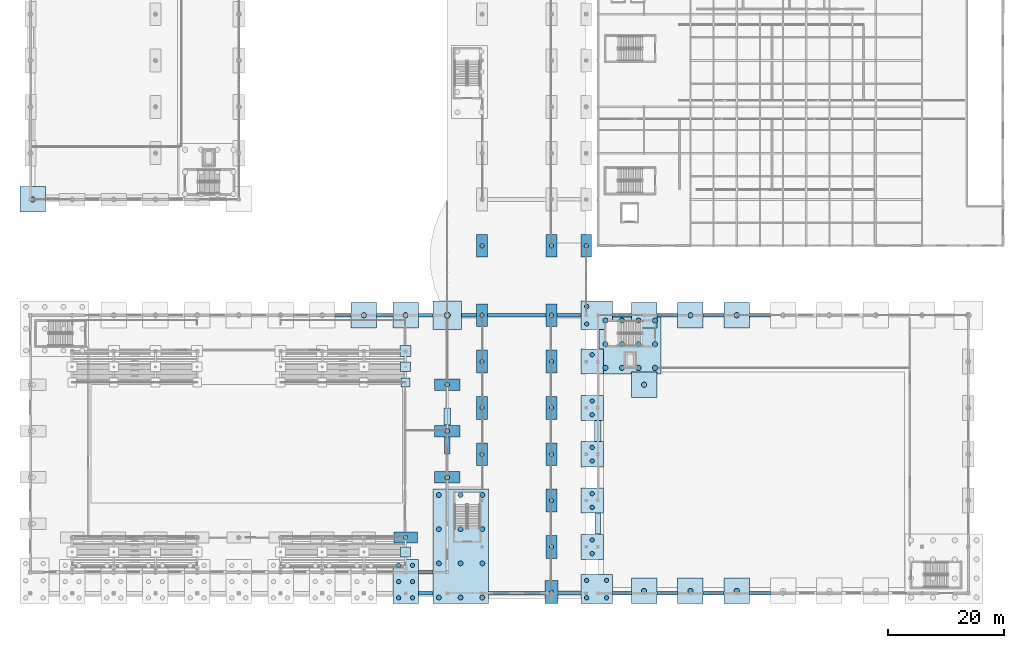
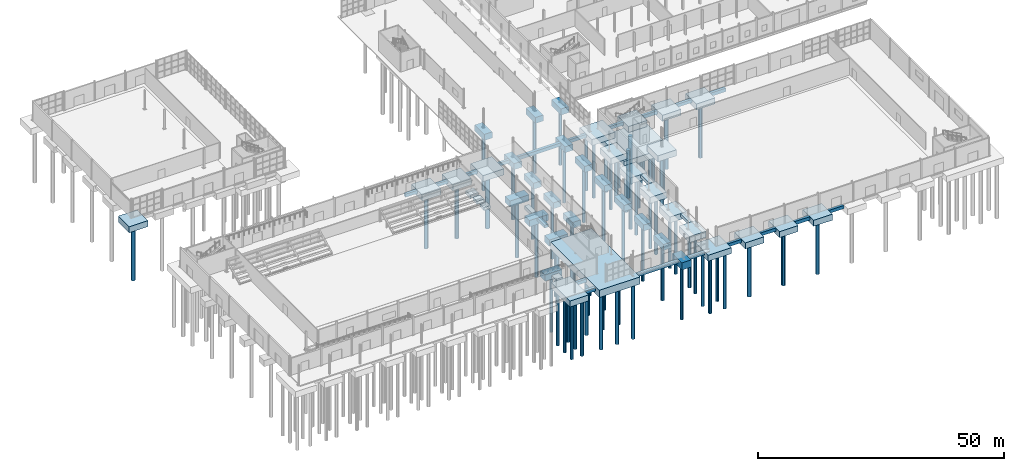
# One storey, part 2 of 101: 73 piles, 65 footings.
"""IFC4 building model written with IfcOpenShell, lengths in metres."""

from ifc_helpers import new_model, si_unit, derived_unit, direction, frame, origin, origin_2d, place, context, subcontext, project, spatial, rectangle, circle, extrude, material, material_profile, profile_set, type_object, element, save


model = new_model("IFC4")

# Units and contexts
model_context = context("Model", 3, precision=1e-05, world=origin(), true_north=direction((0.0, 1.0)))
body_context = subcontext(model_context, "Body", "Model", "MODEL_VIEW")
ifc_project = project(units=[si_unit("LENGTHUNIT", "METRE"), si_unit("AREAUNIT", "SQUARE_METRE"), si_unit("VOLUMEUNIT", "CUBIC_METRE"), si_unit("PLANEANGLEUNIT", "RADIAN"), si_unit("MASSUNIT", "GRAM", prefix="KILO"), derived_unit("THERMALTRANSMITTANCEUNIT", [(si_unit("POWERUNIT", "WATT"), 1), (si_unit("LENGTHUNIT", "METRE"), -2), (si_unit("THERMODYNAMICTEMPERATUREUNIT", "KELVIN"), -1)])], contexts=[model_context])

# Site, building, storey
site_placement = place(None, origin())
site = spatial("IfcSite", under=ifc_project, at=site_placement, CompositionType="ELEMENT")
building_placement = place(site_placement, origin())
building = spatial("IfcBuilding", under=site, at=building_placement, Name="Keldorne Ridge Multi-Sports Centre", CompositionType="ELEMENT")
storey_placement = place(building_placement, origin())
storey = spatial("IfcBuildingStorey", under=building, at=storey_placement, Name="L00", CompositionType="ELEMENT", Elevation=0.0)

# Footings
ifc_material = material(Name="Concrete C35/45", Category="concrete")
ifc_material_profile_1 = material_profile(ifc_material, rectangle(XDim=0.60009765625, YDim=0.800048828125, at=origin_2d()), Name="GB 600x800")
ifc_profile_set_1 = profile_set([ifc_material_profile_1], Name="Concrete C35/45")
footing_type_1 = type_object("IfcFootingType", Name="FTG-GB01", PredefinedType="FOOTING_BEAM", material=ifc_profile_set_1)
footing_1_placement = place(storey_placement, frame((85.10009765625, 6.0, -0.64990234375), z_axis=(1.0, 0.0, 0.0), x_axis=(0.0, 1.0, 0.0)))
element("IfcFooting", 1, at=footing_1_placement, inside=storey, type_object=footing_type_1, Name="Ground tie beam GB-011", PredefinedType="FOOTING_BEAM", context=body_context, shape_type="SweptSolid", body=[
    extrude(rectangle(XDim=0.60009765625, YDim=0.800048828125, at=origin_2d()), origin(), (0.0, 0.0, 1.0), 9.7998046875),
])
footing_2_placement = place(storey_placement, frame((97.10009765625, 6.0, -0.64990234375), z_axis=(1.0, 0.0, 0.0), x_axis=(0.0, 1.0, 0.0)))
element("IfcFooting", 2, at=footing_2_placement, inside=storey, type_object=footing_type_1, Name="Ground tie beam GB-012", PredefinedType="FOOTING_BEAM", context=body_context, shape_type="SweptSolid", body=[
    extrude(rectangle(XDim=0.60009765625, YDim=0.800048828125, at=origin_2d()), origin(), (0.0, 0.0, 1.0), 3.974853515625),
])
footing_3_placement = place(storey_placement, frame((106.5, 6.0, -0.64990234375), z_axis=(1.0, 0.0, 0.0), x_axis=(0.0, 1.0, 0.0)))
element("IfcFooting", 3, at=footing_3_placement, inside=storey, type_object=footing_type_1, Name="Ground tie beam GB-013", PredefinedType="FOOTING_BEAM", context=body_context, shape_type="SweptSolid", body=[
    extrude(rectangle(XDim=0.60009765625, YDim=0.800048828125, at=origin_2d()), origin(), (0.0, 0.0, 1.0), 3.300048828125),
])
for number, where, z_axis, x_axis, name in (
    (4, (114.199951171875, 6.0, -0.64990234375), (1.0, 0.0, 0.0), (0.0, 1.0, 0.0), "Ground tie beam GB-014"),
    (5, (130.199951171875, 6.0, -0.64990234375), (1.0, 0.0, 0.0), (0.0, 1.0, 0.0), "Ground tie beam GB-016"),
):
    element("IfcFooting", number, at=place(storey_placement, frame(where, z_axis=z_axis, x_axis=x_axis)), inside=storey, type_object=footing_type_1, Name=name, PredefinedType="FOOTING_BEAM", context=body_context, shape_type="SweptSolid", body=[
        extrude(rectangle(XDim=0.60009765625, YDim=0.800048828125, at=origin_2d()), origin(), (0.0, 0.0, 1.0), 3.60009765625),
    ])
footing_4_placement = place(storey_placement, frame((73.0, 9.60009765625, -0.64990234375), z_axis=(1.0, 0.0, 0.0), x_axis=(0.0, 1.0, 0.0)))
element("IfcFooting", 6, at=footing_4_placement, inside=storey, type_object=footing_type_1, Name="Ground tie beam GB-029", PredefinedType="FOOTING_BEAM", context=body_context, shape_type="SweptSolid", body=[
    extrude(rectangle(XDim=0.60009765625, YDim=0.800048828125, at=origin_2d()), origin(), (0.0, 0.0, 1.0), 2.5),
])
footing_5_placement = place(storey_placement, frame((58.60009765625, 54.0, -0.64990234375), z_axis=(1.0, 0.0, 0.0), x_axis=(0.0, 1.0, 0.0)))
element("IfcFooting", 7, at=footing_5_placement, inside=storey, type_object=footing_type_1, Name="Ground tie beam GB-036", PredefinedType="FOOTING_BEAM", context=body_context, shape_type="SweptSolid", body=[
    extrude(rectangle(XDim=0.60009765625, YDim=0.800048828125, at=origin_2d()), origin(), (0.0, 0.0, 1.0), 2.7998046875),
])
footing_6_placement = place(storey_placement, frame((65.800048828125, 54.0, -0.64990234375), z_axis=(1.0, 0.0, 0.0), x_axis=(0.0, 1.0, 0.0)))
element("IfcFooting", 8, at=footing_6_placement, inside=storey, type_object=footing_type_1, Name="Ground tie beam GB-037", PredefinedType="FOOTING_BEAM", context=body_context, shape_type="SweptSolid", body=[
    extrude(rectangle(XDim=0.60009765625, YDim=0.800048828125, at=origin_2d()), origin(), (0.0, 0.0, 1.0), 2.800048828125),
])
footing_7_placement = place(storey_placement, frame((73.0, 54.0, -0.64990234375), z_axis=(1.0, 0.0, 0.0), x_axis=(0.0, 1.0, 0.0)))
element("IfcFooting", 9, at=footing_7_placement, inside=storey, type_object=footing_type_1, Name="Ground tie beam GB-038", PredefinedType="FOOTING_BEAM", context=body_context, shape_type="SweptSolid", body=[
    extrude(rectangle(XDim=0.60009765625, YDim=0.800048828125, at=origin_2d()), origin(), (0.0, 0.0, 1.0), 2.5),
])
footing_8_placement = place(storey_placement, frame((80.5, 54.0, -0.64990234375), z_axis=(1.0, 0.0, 0.0), x_axis=(0.0, 1.0, 0.0)))
element("IfcFooting", 10, at=footing_8_placement, inside=storey, type_object=footing_type_1, Name="Ground tie beam GB-039", PredefinedType="FOOTING_BEAM", context=body_context, shape_type="SweptSolid", body=[
    extrude(rectangle(XDim=0.60009765625, YDim=0.800048828125, at=origin_2d()), origin(), (0.0, 0.0, 1.0), 2.574951171875),
])
footing_9_placement = place(storey_placement, frame((96.925048828125, 54.0, -0.64990234375), z_axis=(1.0, 0.0, 0.0), x_axis=(0.0, 1.0, 0.0)))
element("IfcFooting", 11, at=footing_9_placement, inside=storey, type_object=footing_type_1, Name="Ground tie beam GB-041", PredefinedType="FOOTING_BEAM", context=body_context, shape_type="SweptSolid", body=[
    extrude(rectangle(XDim=0.60009765625, YDim=0.800048828125, at=origin_2d()), origin(), (0.0, 0.0, 1.0), 4.14990234375),
])
footing_10_placement = place(storey_placement, frame((106.5, 54.0, -0.64990234375), z_axis=(1.0, 0.0, 0.0), x_axis=(0.0, 1.0, 0.0)))
element("IfcFooting", 12, at=footing_10_placement, inside=storey, type_object=footing_type_1, Name="Ground tie beam GB-042", PredefinedType="FOOTING_BEAM", context=body_context, shape_type="SweptSolid", body=[
    extrude(rectangle(XDim=0.60009765625, YDim=0.800048828125, at=origin_2d()), origin(), (0.0, 0.0, 1.0), 3.300048828125),
])
for number, where, z_axis, x_axis, name in (
    (13, (114.199951171875, 54.0, -0.64990234375), (1.0, 0.0, 0.0), (0.0, 1.0, 0.0), "Ground tie beam GB-043"),
    (14, (122.199951171875, 54.0, -0.64990234375), (1.0, 0.0, 0.0), (0.0, 1.0, 0.0), "Ground tie beam GB-044"),
):
    element("IfcFooting", number, at=place(storey_placement, frame(where, z_axis=z_axis, x_axis=x_axis)), inside=storey, type_object=footing_type_1, Name=name, PredefinedType="FOOTING_BEAM", context=body_context, shape_type="SweptSolid", body=[
        extrude(rectangle(XDim=0.60009765625, YDim=0.800048828125, at=origin_2d()), origin(), (0.0, 0.0, 1.0), 3.60009765625),
    ])
ifc_material_profile_2 = material_profile(ifc_material, rectangle(XDim=0.64990234375, YDim=0.85009765625, at=origin_2d()), Name="GB 650x850")
ifc_profile_set_2 = profile_set([ifc_material_profile_2], Name="Concrete C35/45")
footing_type_2 = type_object("IfcFootingType", Name="FTG-GB03", PredefinedType="FOOTING_BEAM", material=ifc_profile_set_2)
footing_11_placement = place(storey_placement, frame((73.0, 6.0, -0.64990234375), z_axis=(1.0, 0.0, 0.0), x_axis=(0.0, 1.0, 0.0)))
element("IfcFooting", 15, at=footing_11_placement, inside=storey, type_object=footing_type_2, Name="Ground tie beam GB-010", PredefinedType="FOOTING_BEAM", context=body_context, shape_type="SweptSolid", body=[
    extrude(rectangle(XDim=0.64990234375, YDim=0.85009765625, at=origin_2d()), origin(), (0.0, 0.0, 1.0), 2.5),
])
footing_12_placement = place(storey_placement, frame((122.199951171875, 6.0, -0.64990234375), z_axis=(1.0, 0.0, 0.0), x_axis=(0.0, 1.0, 0.0)))
element("IfcFooting", 16, at=footing_12_placement, inside=storey, type_object=footing_type_2, Name="Ground tie beam GB-015", PredefinedType="FOOTING_BEAM", context=body_context, shape_type="SweptSolid", body=[
    extrude(rectangle(XDim=0.64990234375, YDim=0.85009765625, at=origin_2d()), origin(), (0.0, 0.0, 1.0), 3.60009765625),
])
footing_13_placement = place(storey_placement, frame((84.925048828125, 54.0, -0.64990234375), z_axis=(1.0, 0.0, 0.0), x_axis=(0.0, 1.0, 0.0)))
element("IfcFooting", 17, at=footing_13_placement, inside=storey, type_object=footing_type_2, Name="Ground tie beam GB-040", PredefinedType="FOOTING_BEAM", context=body_context, shape_type="SweptSolid", body=[
    extrude(rectangle(XDim=0.64990234375, YDim=0.85009765625, at=origin_2d()), origin(), (0.0, 0.0, 1.0), 10.14990234375),
])
footing_14_placement = place(storey_placement, frame((130.199951171875, 54.0, -0.64990234375), z_axis=(1.0, 0.0, 0.0), x_axis=(0.0, 1.0, 0.0)))
element("IfcFooting", 18, at=footing_14_placement, inside=storey, type_object=footing_type_2, Name="Ground tie beam GB-045", PredefinedType="FOOTING_BEAM", context=body_context, shape_type="SweptSolid", body=[
    extrude(rectangle(XDim=0.64990234375, YDim=0.85009765625, at=origin_2d()), origin(), (0.0, 0.0, 1.0), 3.60009765625),
])
footing_type_3 = type_object("IfcFootingType", Name="FTG-PC-01", PredefinedType="PILE_CAP", material=ifc_material)
for number, where, z_axis, x_axis, name in (
    (19, (96.0, 14.0, -1.75), (0.0, 0.0, 1.0), (1.0, 0.0, 0.0), "Foundation FTG-V4-G14-02"),
    (20, (96.0, 22.0, -1.75), (0.0, 0.0, 1.0), (1.0, 0.0, 0.0), "Foundation FTG-V4-G14-03"),
    (21, (84.0, 30.0, -1.75), (0.0, 0.0, 1.0), (1.0, 0.0, 0.0), "Foundation FTG-V4-G12-04"),
    (22, (96.0, 30.0, -1.75), (0.0, 0.0, 1.0), (1.0, 0.0, 0.0), "Foundation FTG-V4-G14-04"),
    (23, (84.0, 38.0, -1.75), (0.0, 0.0, 1.0), (1.0, 0.0, 0.0), "Foundation FTG-V4-G12-05"),
    (24, (96.0, 38.0, -1.75), (0.0, 0.0, 1.0), (1.0, 0.0, 0.0), "Foundation FTG-V4-G14-05"),
    (25, (84.0, 46.0, -1.75), (0.0, 0.0, 1.0), (1.0, 0.0, 0.0), "Foundation FTG-V4-G12-06"),
    (26, (96.0, 46.0, -1.75), (0.0, 0.0, 1.0), (1.0, 0.0, 0.0), "Foundation FTG-V4-G14-06"),
    (27, (84.0, 54.0, -1.75), (0.0, 0.0, 1.0), (1.0, 0.0, 0.0), "Foundation FTG-V4-G12-07"),
    (28, (96.0, 54.0, -1.75), (0.0, 0.0, 1.0), (1.0, 0.0, 0.0), "Foundation FTG-V4-G14-07"),
    (29, (84.0, 66.0, -1.75), (0.0, 0.0, 1.0), (1.0, 0.0, 0.0), "Foundation FTG-V4-G12-08"),
    (30, (96.0, 66.0, -1.75), (0.0, 0.0, 1.0), (1.0, 0.0, 0.0), "Foundation FTG-V4-G14-08"),
    (31, (102.0, 66.0, -1.75), (0.0, 0.0, 1.0), (1.0, 0.0, 0.0), "Foundation FTG-V4-G15-08"),
):
    element("IfcFooting", number, at=place(storey_placement, frame(where, z_axis=z_axis, x_axis=x_axis)), inside=storey, type_object=footing_type_3, Name=name, PredefinedType="PILE_CAP", context=body_context, shape_type="SweptSolid", body=[
        extrude(rectangle(XDim=1.85009765625, YDim=3.949951171875, at=origin_2d()), origin(), (0.0, 0.0, 1.0), 1.5),
    ])
footing_type_4 = type_object("IfcFootingType", Name="FTG-PC-02", PredefinedType="PILE_CAP", material=ifc_material)
footing_15_placement = place(storey_placement, frame((70.800048828125, 15.60009765625, -1.75), z_axis=(0.0, 0.0, 1.0), x_axis=(1.0, 0.0, 0.0)))
element("IfcFooting", 32, at=footing_15_placement, inside=storey, type_object=footing_type_4, Name="Foundation FTG-V1-MEZZ-10", PredefinedType="PILE_CAP", context=body_context, shape_type="SweptSolid", body=[
    extrude(rectangle(XDim=4.050048828125, YDim=1.89990234375, at=origin_2d()), origin(), (0.0, 0.0, 1.0), 1.5),
])
footing_type_5 = type_object("IfcFootingType", Name="FTG-PC-04", PredefinedType="PILE_CAP", material=ifc_material)
for number, where, z_axis, x_axis, name in (
    (33, (78.0, 26.0, -1.7998046875), (0.0, 0.0, 1.0), (1.0, 0.0, 0.0), "Foundation FTG-V1-GABLE-E-02"),
    (34, (78.0, 34.0, -1.7998046875), (0.0, 0.0, 1.0), (1.0, 0.0, 0.0), "Foundation FTG-V1-GABLE-E-03"),
    (35, (78.0, 42.0, -1.7998046875), (0.0, 0.0, 1.0), (1.0, 0.0, 0.0), "Foundation FTG-V1-GABLE-E-04"),
):
    element("IfcFooting", number, at=place(storey_placement, frame(where, z_axis=z_axis, x_axis=x_axis)), inside=storey, type_object=footing_type_5, Name=name, PredefinedType="PILE_CAP", context=body_context, shape_type="SweptSolid", body=[
        extrude(rectangle(XDim=4.449951171875, YDim=2.0, at=origin_2d()), origin(), (0.0, 0.0, 1.0), 1.550048828125),
    ])
footing_type_6 = type_object("IfcFootingType", Name="FTG-PC-05", PredefinedType="PILE_CAP", material=ifc_material)
for number, where, z_axis, x_axis, name in (
    (36, (63.60009765625, 54.0, -1.75), (0.0, 0.0, 1.0), (1.0, 0.0, 0.0), "Foundation FTG-V1-HALL-N-09"),
    (37, (70.800048828125, 54.0, -1.75), (0.0, 0.0, 1.0), (1.0, 0.0, 0.0), "Foundation FTG-V1-HALL-N-10"),
    (38, (6.39990234375, 74.0, -1.75), (0.0, 0.0, 1.0), (1.0, 0.0, 0.0), "Foundation FTG-V3-PER-S-01"),
    (39, (112.0, 6.39990234375, -1.75), (0.0, 0.0, 1.0), (1.0, 0.0, 0.0), "Foundation FTG-V2-TRUSS-S-02"),
    (40, (112.0, 54.0, -1.75), (0.0, 0.0, 1.0), (1.0, 0.0, 0.0), "Foundation FTG-V2-TRUSS-N-02"),
    (41, (120.0, 6.39990234375, -1.75), (0.0, 0.0, 1.0), (1.0, 0.0, 0.0), "Foundation FTG-V2-TRUSS-S-03"),
    (42, (120.0, 54.0, -1.75), (0.0, 0.0, 1.0), (1.0, 0.0, 0.0), "Foundation FTG-V2-TRUSS-N-03"),
    (43, (128.0, 6.39990234375, -1.75), (0.0, 0.0, 1.0), (1.0, 0.0, 0.0), "Foundation FTG-V2-TRUSS-S-04"),
    (44, (128.0, 54.0, -1.75), (0.0, 0.0, 1.0), (1.0, 0.0, 0.0), "Foundation FTG-V2-TRUSS-N-04"),
    (45, (112.0, 42.0, -1.75), (0.0, 0.0, 1.0), (1.0, 0.0, 0.0), "Foundation FTG-V2-C4-ANCH"),
):
    element("IfcFooting", number, at=place(storey_placement, frame(where, z_axis=z_axis, x_axis=x_axis)), inside=storey, type_object=footing_type_6, Name=name, PredefinedType="PILE_CAP", context=body_context, shape_type="SweptSolid", body=[
        extrude(rectangle(XDim=4.39990234375, YDim=4.39990234375, at=origin_2d()), origin(), (0.0, 0.0, 1.0), 1.5),
    ])
footing_type_7 = type_object("IfcFootingType", Name="FTG-PC-06", PredefinedType="PILE_CAP", material=ifc_material)
footing_16_placement = place(storey_placement, frame((78.0, 54.0, -1.75), z_axis=(0.0, 0.0, 1.0), x_axis=(1.0, 0.0, 0.0)))
element("IfcFooting", 46, at=footing_16_placement, inside=storey, type_object=footing_type_7, Name="Foundation FTG-V1-HALL-N-11", PredefinedType="PILE_CAP", context=body_context, shape_type="SweptSolid", body=[
    extrude(rectangle(XDim=5.0, YDim=5.0, at=origin_2d()), origin(), (0.0, 0.0, 1.0), 1.5),
])
footing_type_8 = type_object("IfcFootingType", Name="FTG-PC-14", PredefinedType="PILE_CAP", material=ifc_material)
footing_17_placement = place(storey_placement, frame((109.60009765625, 49.0, -3.75), z_axis=(0.0, 0.0, 1.0), x_axis=(1.0, 0.0, 0.0)))
element("IfcFooting", 47, at=footing_17_placement, inside=storey, type_object=footing_type_8, Name="Foundation FTG-CORE-CORE-C4", PredefinedType="PILE_CAP", context=body_context, shape_type="SweptSolid", body=[
    extrude(rectangle(XDim=10.699951171875, YDim=10.300048828125, at=origin_2d()), origin(), (0.0, 0.0, 1.0), 1.60009765625),
])
footing_type_9 = type_object("IfcFootingType", Name="FTG-PCC-220X395", PredefinedType="PILE_CAP", material=ifc_material)
footing_18_placement = place(storey_placement, frame((96.0, 6.175048828125, -1.75), z_axis=(0.0, 0.0, 1.0), x_axis=(1.0, 0.0, 0.0)))
element("IfcFooting", 48, at=footing_18_placement, inside=storey, type_object=footing_type_9, Name="Foundation FTG-V4-G14-01", PredefinedType="PILE_CAP", context=body_context, shape_type="SweptSolid", body=[
    extrude(rectangle(XDim=2.199951171875, YDim=3.949951171875, at=origin_2d()), origin(), (0.0, 0.0, 1.0), 1.75),
])
footing_type_10 = type_object("IfcFootingType", Name="FTG-PCC-390X435", PredefinedType="PILE_CAP", material=ifc_material)
for number, where, z_axis, x_axis, name in (
    (49, (103.02490234375, 14.0, -1.75), (0.0, 0.0, 1.0), (1.0, 0.0, 0.0), "Foundation FTG-V4-G15-02"),
    (50, (103.02490234375, 22.0, -1.75), (0.0, 0.0, 1.0), (1.0, 0.0, 0.0), "Foundation FTG-V4-G15-03"),
    (51, (103.02490234375, 30.0, -1.75), (0.0, 0.0, 1.0), (1.0, 0.0, 0.0), "Foundation FTG-V4-G15-04"),
    (52, (103.02490234375, 38.0, -1.75), (0.0, 0.0, 1.0), (1.0, 0.0, 0.0), "Foundation FTG-V4-G15-05"),
    (53, (103.02490234375, 46.0, -1.75), (0.0, 0.0, 1.0), (1.0, 0.0, 0.0), "Foundation FTG-V4-G15-06"),
):
    element("IfcFooting", number, at=place(storey_placement, frame(where, z_axis=z_axis, x_axis=x_axis)), inside=storey, type_object=footing_type_10, Name=name, PredefinedType="PILE_CAP", context=body_context, shape_type="SweptSolid", body=[
        extrude(rectangle(XDim=3.89990234375, YDim=4.35009765625, at=origin_2d()), origin(), (0.0, 0.0, 1.0), 1.5),
    ])
footing_type_11 = type_object("IfcFootingType", Name="FTG-PCC-440X760", PredefinedType="PILE_CAP", material=ifc_material)
footing_19_placement = place(storey_placement, frame((70.800048828125, 8.0, -1.75), z_axis=(0.0, 0.0, 1.0), x_axis=(1.0, 0.0, 0.0)))
element("IfcFooting", 54, at=footing_19_placement, inside=storey, type_object=footing_type_11, Name="Foundation FTG-V1-COLN-10", PredefinedType="PILE_CAP", context=body_context, shape_type="SweptSolid", body=[
    extrude(rectangle(XDim=4.39990234375, YDim=7.60009765625, at=origin_2d()), origin(), (0.0, 0.0, 1.0), 1.5),
])
footing_type_12 = type_object("IfcFootingType", Name="FTG-PCC-542X500", PredefinedType="PILE_CAP", material=ifc_material)
for number, where, z_axis, x_axis, name in (
    (55, (103.78759765625, 6.699951171875, -1.75), (0.0, 0.0, 1.0), (1.0, 0.0, 0.0), "Foundation FTG-V4-G15-01"),
    (56, (103.78759765625, 54.0, -1.75), (0.0, 0.0, 1.0), (1.0, 0.0, 0.0), "Foundation FTG-V4-G15-07"),
):
    element("IfcFooting", number, at=place(storey_placement, frame(where, z_axis=z_axis, x_axis=x_axis)), inside=storey, type_object=footing_type_12, Name=name, PredefinedType="PILE_CAP", context=body_context, shape_type="SweptSolid", body=[
        extrude(rectangle(XDim=5.425048828125, YDim=5.0, at=origin_2d()), origin(), (0.0, 0.0, 1.0), 1.5),
    ])
footing_type_13 = type_object("IfcFootingType", Name="FTG-PCC-960X1980", PredefinedType="PILE_CAP", material=ifc_material)
footing_20_placement = place(storey_placement, frame((80.300048828125, 14.10009765625, -1.7998046875), z_axis=(0.0, 0.0, 1.0), x_axis=(1.0, 0.0, 0.0)))
element("IfcFooting", 57, at=footing_20_placement, inside=storey, type_object=footing_type_13, Name="Foundation FTG-STR-ST-07", PredefinedType="PILE_CAP", context=body_context, shape_type="SweptSolid", body=[
    extrude(rectangle(XDim=9.60009765625, YDim=19.800048828125, at=origin_2d()), origin(), (0.0, 0.0, 1.0), 1.800048828125),
])
footing_type_14 = type_object("IfcFootingType", Name="FTG-PF-03", PredefinedType="PAD_FOOTING", material=ifc_material)
footing_21_placement = place(storey_placement, frame((70.800048828125, 47.800048828125, -1.10009765625), z_axis=(0.0, 0.0, 1.0), x_axis=(1.0, 0.0, 0.0)))
element("IfcFooting", 58, at=footing_21_placement, inside=storey, type_object=footing_type_14, Name="Foundation FTG-V1-STDCOL-NORTH-08", PredefinedType="PAD_FOOTING", context=body_context, shape_type="SweptSolid", body=[
    extrude(rectangle(XDim=1.89990234375, YDim=1.89990234375, at=origin_2d()), origin(), (0.0, 0.0, 1.0), 0.85009765625),
])
footing_type_15 = type_object("IfcFootingType", Name="FTG-PF-04", PredefinedType="PAD_FOOTING", material=ifc_material)
footing_22_placement = place(storey_placement, frame((70.800048828125, 42.39990234375, -1.0), z_axis=(0.0, 0.0, 1.0), x_axis=(1.0, 0.0, 0.0)))
element("IfcFooting", 59, at=footing_22_placement, inside=storey, type_object=footing_type_15, Name="Foundation FTG-V1-STDFRT-NORTH-08", PredefinedType="PAD_FOOTING", context=body_context, shape_type="SweptSolid", body=[
    extrude(rectangle(XDim=1.5, YDim=1.5, at=origin_2d()), origin(), (0.0, 0.0, 1.0), 0.75),
])
footing_type_16 = type_object("IfcFootingType", Name="FTG-PF-05", PredefinedType="PAD_FOOTING", material=ifc_material)
for number, where, z_axis, x_axis, name in (
    (60, (70.800048828125, 13.10009765625, -1.0498046875), (0.0, 0.0, 1.0), (1.0, 0.0, 0.0), "Foundation FTG-V1-STDMID-SOUTH-08"),
    (61, (70.800048828125, 45.10009765625, -1.0498046875), (0.0, 0.0, 1.0), (1.0, 0.0, 0.0), "Foundation FTG-V1-STDMID-NORTH-08"),
):
    element("IfcFooting", number, at=place(storey_placement, frame(where, z_axis=z_axis, x_axis=x_axis)), inside=storey, type_object=footing_type_16, Name=name, PredefinedType="PAD_FOOTING", context=body_context, shape_type="SweptSolid", body=[
        extrude(rectangle(XDim=1.699951171875, YDim=1.699951171875, at=origin_2d()), origin(), (0.0, 0.0, 1.0), 0.800048828125),
    ])
ifc_material_profile_3 = material_profile(ifc_material, rectangle(XDim=0.89990234375, YDim=0.699951171875, at=origin_2d()), Name="SF 900x700")
ifc_profile_set_3 = profile_set([ifc_material_profile_3], Name="Concrete C35/45")
footing_type_17 = type_object("IfcFootingType", Name="FTG-SF01", PredefinedType="STRIP_FOOTING", material=ifc_profile_set_3)
footing_23_placement = place(storey_placement, frame((78.0, 30.0, -0.60009765625), z_axis=(0.0, 1.0, 0.0), x_axis=(-1.0, 0.0, 0.0)))
element("IfcFooting", 62, at=footing_23_placement, inside=storey, type_object=footing_type_17, Name="Perimeter strip footing SF-01", PredefinedType="STRIP_FOOTING", context=body_context, shape_type="SweptSolid", body=[
    extrude(rectangle(XDim=0.89990234375, YDim=0.699951171875, at=origin_2d()), origin(), (0.0, 0.0, 1.0), 2.97998046875),
])
footing_24_placement = place(storey_placement, frame((104.0, 16.195068359375, -0.60009765625), z_axis=(0.0, 1.0, 0.0), x_axis=(-1.0, 0.0, 0.0)))
element("IfcFooting", 63, at=footing_24_placement, inside=storey, type_object=footing_type_17, Name="Perimeter strip footing SF-03", PredefinedType="STRIP_FOOTING", context=body_context, shape_type="SweptSolid", body=[
    extrude(rectangle(XDim=0.89990234375, YDim=0.699951171875, at=origin_2d()), origin(), (0.0, 0.0, 1.0), 3.60986328125),
])
ifc_material_profile_4 = material_profile(ifc_material, rectangle(XDim=1.10009765625, YDim=0.800048828125, at=origin_2d()), Name="SF 1100x800")
ifc_profile_set_4 = profile_set([ifc_material_profile_4], Name="Concrete C35/45")
footing_type_18 = type_object("IfcFootingType", Name="FTG-SF02", PredefinedType="STRIP_FOOTING", material=ifc_profile_set_4)
footing_25_placement = place(storey_placement, frame((78.0, 35.02001953125, -0.60009765625), z_axis=(0.0, 1.0, 0.0), x_axis=(-1.0, 0.0, 0.0)))
element("IfcFooting", 64, at=footing_25_placement, inside=storey, type_object=footing_type_18, Name="Perimeter strip footing SF-02", PredefinedType="STRIP_FOOTING", context=body_context, shape_type="SweptSolid", body=[
    extrude(rectangle(XDim=1.10009765625, YDim=0.800048828125, at=origin_2d()), origin(), (0.0, 0.0, 1.0), 2.97998046875),
])
footing_26_placement = place(storey_placement, frame((104.0, 32.195068359375, -0.60009765625), z_axis=(0.0, 1.0, 0.0), x_axis=(-1.0, 0.0, 0.0)))
element("IfcFooting", 65, at=footing_26_placement, inside=storey, type_object=footing_type_18, Name="Perimeter strip footing SF-04", PredefinedType="STRIP_FOOTING", context=body_context, shape_type="SweptSolid", body=[
    extrude(rectangle(XDim=1.10009765625, YDim=0.800048828125, at=origin_2d()), origin(), (0.0, 0.0, 1.0), 3.60986328125),
])

# Piles
ifc_material_profile_5 = material_profile(ifc_material, circle(Radius=0.375, at=origin_2d()), Name="BORED PILE D750")
ifc_profile_set_5 = profile_set([ifc_material_profile_5], Name="Concrete C35/45")
pile_type_1 = type_object("IfcPileType", Name="PILE-BP01", PredefinedType="BORED", material=ifc_profile_set_5)
for number, where, z_axis, x_axis, name in (
    (66, (69.594970703125, 5.195068359375, -1.60009765625), (0.0, 0.0, -1.0), (1.0, 0.0, 0.0), "Bored pile P-0182"),
    (67, (69.594970703125, 8.0, -1.60009765625), (0.0, 0.0, -1.0), (1.0, 0.0, 0.0), "Bored pile P-0183"),
    (68, (69.594970703125, 10.804931640625, -1.60009765625), (0.0, 0.0, -1.0), (1.0, 0.0, 0.0), "Bored pile P-0184"),
    (69, (72.0048828125, 5.195068359375, -1.60009765625), (0.0, 0.0, -1.0), (1.0, 0.0, 0.0), "Bored pile P-0185"),
    (70, (72.0048828125, 8.0, -1.60009765625), (0.0, 0.0, -1.0), (1.0, 0.0, 0.0), "Bored pile P-0186"),
    (71, (72.0048828125, 10.804931640625, -1.60009765625), (0.0, 0.0, -1.0), (1.0, 0.0, 0.0), "Bored pile P-0187"),
    (72, (70.800048828125, 15.60009765625, -1.60009765625), (0.0, 0.0, -1.0), (1.0, 0.0, 0.0), "Bored pile P-0205"),
    (73, (96.0, 6.175048828125, -1.60009765625), (0.0, 0.0, -1.0), (1.0, 0.0, 0.0), "Bored pile P-0227"),
    (74, (102.070068359375, 5.195068359375, -1.60009765625), (0.0, 0.0, -1.0), (1.0, 0.0, 0.0), "Bored pile P-0228"),
    (75, (102.070068359375, 8.205078125, -1.60009765625), (0.0, 0.0, -1.0), (1.0, 0.0, 0.0), "Bored pile P-0229"),
    (76, (105.5048828125, 5.195068359375, -1.60009765625), (0.0, 0.0, -1.0), (1.0, 0.0, 0.0), "Bored pile P-0230"),
    (77, (105.5048828125, 8.205078125, -1.60009765625), (0.0, 0.0, -1.0), (1.0, 0.0, 0.0), "Bored pile P-0231"),
    (78, (96.0, 14.0, -1.60009765625), (0.0, 0.0, -1.0), (1.0, 0.0, 0.0), "Bored pile P-0232"),
    (79, (103.02490234375, 12.820068359375, -1.60009765625), (0.0, 0.0, -1.0), (1.0, 0.0, 0.0), "Bored pile P-0233"),
    (80, (103.02490234375, 15.179931640625, -1.60009765625), (0.0, 0.0, -1.0), (1.0, 0.0, 0.0), "Bored pile P-0234"),
    (81, (96.0, 22.0, -1.60009765625), (0.0, 0.0, -1.0), (1.0, 0.0, 0.0), "Bored pile P-0235"),
    (82, (103.02490234375, 20.820068359375, -1.60009765625), (0.0, 0.0, -1.0), (1.0, 0.0, 0.0), "Bored pile P-0236"),
    (83, (103.02490234375, 23.179931640625, -1.60009765625), (0.0, 0.0, -1.0), (1.0, 0.0, 0.0), "Bored pile P-0237"),
    (84, (84.0, 30.0, -1.60009765625), (0.0, 0.0, -1.0), (1.0, 0.0, 0.0), "Bored pile P-0238"),
    (85, (96.0, 30.0, -1.60009765625), (0.0, 0.0, -1.0), (1.0, 0.0, 0.0), "Bored pile P-0239"),
    (86, (103.02490234375, 28.820068359375, -1.60009765625), (0.0, 0.0, -1.0), (1.0, 0.0, 0.0), "Bored pile P-0240"),
    (87, (103.02490234375, 31.179931640625, -1.60009765625), (0.0, 0.0, -1.0), (1.0, 0.0, 0.0), "Bored pile P-0241"),
    (88, (84.0, 38.0, -1.60009765625), (0.0, 0.0, -1.0), (1.0, 0.0, 0.0), "Bored pile P-0242"),
    (89, (96.0, 38.0, -1.60009765625), (0.0, 0.0, -1.0), (1.0, 0.0, 0.0), "Bored pile P-0243"),
    (90, (103.02490234375, 36.820068359375, -1.60009765625), (0.0, 0.0, -1.0), (1.0, 0.0, 0.0), "Bored pile P-0244"),
    (91, (103.02490234375, 39.179931640625, -1.60009765625), (0.0, 0.0, -1.0), (1.0, 0.0, 0.0), "Bored pile P-0245"),
    (92, (84.0, 46.0, -1.60009765625), (0.0, 0.0, -1.0), (1.0, 0.0, 0.0), "Bored pile P-0246"),
    (93, (96.0, 46.0, -1.60009765625), (0.0, 0.0, -1.0), (1.0, 0.0, 0.0), "Bored pile P-0247"),
    (94, (103.02490234375, 47.179931640625, -1.60009765625), (0.0, 0.0, -1.0), (1.0, 0.0, 0.0), "Bored pile P-0248"),
    (95, (84.0, 54.0, -1.60009765625), (0.0, 0.0, -1.0), (1.0, 0.0, 0.0), "Bored pile P-0249"),
    (96, (96.0, 54.0, -1.60009765625), (0.0, 0.0, -1.0), (1.0, 0.0, 0.0), "Bored pile P-0250"),
    (97, (102.070068359375, 52.4951171875, -1.60009765625), (0.0, 0.0, -1.0), (1.0, 0.0, 0.0), "Bored pile P-0251"),
    (98, (102.070068359375, 55.5048828125, -1.60009765625), (0.0, 0.0, -1.0), (1.0, 0.0, 0.0), "Bored pile P-0252"),
    (99, (84.0, 66.0, -1.60009765625), (0.0, 0.0, -1.0), (1.0, 0.0, 0.0), "Bored pile P-0253"),
    (100, (96.0, 66.0, -1.60009765625), (0.0, 0.0, -1.0), (1.0, 0.0, 0.0), "Bored pile P-0254"),
    (101, (102.0, 66.0, -1.60009765625), (0.0, 0.0, -1.0), (1.0, 0.0, 0.0), "Bored pile P-0255"),
):
    element("IfcPile", number, at=place(storey_placement, frame(where, z_axis=z_axis, x_axis=x_axis)), inside=storey, type_object=pile_type_1, Name=name, PredefinedType="BORED", context=body_context, shape_type="SweptSolid", body=[
        extrude(circle(Radius=0.375, at=origin_2d()), origin(), (0.0, 0.0, 1.0), 13.89990234375),
    ])
ifc_material_profile_6 = material_profile(ifc_material, circle(Radius=0.425048828125, at=origin_2d()), Name="BORED PILE D850")
ifc_profile_set_6 = profile_set([ifc_material_profile_6], Name="Concrete C35/45")
pile_type_2 = type_object("IfcPileType", Name="PILE-BP02", PredefinedType="BORED", material=ifc_profile_set_6)
for number, where, z_axis, x_axis, name in (
    (102, (76.544921875, 5.2451171875, -1.64990234375), (0.0, 0.0, -1.0), (1.0, 0.0, 0.0), "Bored pile P-0081"),
    (103, (76.544921875, 11.148193359375, -1.64990234375), (0.0, 0.0, -1.0), (1.0, 0.0, 0.0), "Bored pile P-0082"),
    (104, (76.544921875, 17.0517578125, -1.64990234375), (0.0, 0.0, -1.0), (1.0, 0.0, 0.0), "Bored pile P-0083"),
    (105, (76.544921875, 22.955078125, -1.64990234375), (0.0, 0.0, -1.0), (1.0, 0.0, 0.0), "Bored pile P-0084"),
    (106, (80.300048828125, 5.2451171875, -1.64990234375), (0.0, 0.0, -1.0), (1.0, 0.0, 0.0), "Bored pile P-0085"),
    (107, (80.300048828125, 11.148193359375, -1.64990234375), (0.0, 0.0, -1.0), (1.0, 0.0, 0.0), "Bored pile P-0086"),
    (108, (80.300048828125, 17.0517578125, -1.64990234375), (0.0, 0.0, -1.0), (1.0, 0.0, 0.0), "Bored pile P-0087"),
    (109, (80.300048828125, 22.955078125, -1.64990234375), (0.0, 0.0, -1.0), (1.0, 0.0, 0.0), "Bored pile P-0088"),
    (110, (84.054931640625, 5.2451171875, -1.64990234375), (0.0, 0.0, -1.0), (1.0, 0.0, 0.0), "Bored pile P-0089"),
    (111, (84.054931640625, 11.148193359375, -1.64990234375), (0.0, 0.0, -1.0), (1.0, 0.0, 0.0), "Bored pile P-0090"),
    (112, (84.054931640625, 17.0517578125, -1.64990234375), (0.0, 0.0, -1.0), (1.0, 0.0, 0.0), "Bored pile P-0091"),
    (113, (84.054931640625, 22.955078125, -1.64990234375), (0.0, 0.0, -1.0), (1.0, 0.0, 0.0), "Bored pile P-0092"),
    (114, (78.0, 26.0, -1.64990234375), (0.0, 0.0, -1.0), (1.0, 0.0, 0.0), "Bored pile P-0194"),
    (115, (78.0, 34.0, -1.64990234375), (0.0, 0.0, -1.0), (1.0, 0.0, 0.0), "Bored pile P-0195"),
    (116, (78.0, 42.0, -1.64990234375), (0.0, 0.0, -1.0), (1.0, 0.0, 0.0), "Bored pile P-0196"),
):
    element("IfcPile", number, at=place(storey_placement, frame(where, z_axis=z_axis, x_axis=x_axis)), inside=storey, type_object=pile_type_2, Name=name, PredefinedType="BORED", context=body_context, shape_type="SweptSolid", body=[
        extrude(circle(Radius=0.425048828125, at=origin_2d()), origin(), (0.0, 0.0, 1.0), 13.85009765625),
    ])
ifc_material_profile_7 = material_profile(ifc_material, circle(Radius=0.449951171875, at=origin_2d()), Name="BORED PILE D900")
ifc_profile_set_7 = profile_set([ifc_material_profile_7], Name="Concrete C35/45")
pile_type_3 = type_object("IfcPileType", Name="PILE-BP03", PredefinedType="BORED", material=ifc_profile_set_7)
for number, where, z_axis, x_axis, name in (
    (117, (105.320068359375, 44.919921875, -3.60009765625), (0.0, 0.0, -1.0), (1.0, 0.0, 0.0), "Bored pile P-0041"),
    (118, (105.320068359375, 49.0, -3.60009765625), (0.0, 0.0, -1.0), (1.0, 0.0, 0.0), "Bored pile P-0042"),
    (119, (105.320068359375, 53.080078125, -3.60009765625), (0.0, 0.0, -1.0), (1.0, 0.0, 0.0), "Bored pile P-0043"),
    (120, (108.17333984375, 44.919921875, -3.60009765625), (0.0, 0.0, -1.0), (1.0, 0.0, 0.0), "Bored pile P-0044"),
    (121, (108.17333984375, 49.0, -3.60009765625), (0.0, 0.0, -1.0), (1.0, 0.0, 0.0), "Bored pile P-0045"),
    (122, (108.17333984375, 53.080078125, -3.60009765625), (0.0, 0.0, -1.0), (1.0, 0.0, 0.0), "Bored pile P-0046"),
    (123, (111.026611328125, 44.919921875, -3.60009765625), (0.0, 0.0, -1.0), (1.0, 0.0, 0.0), "Bored pile P-0047"),
    (124, (111.026611328125, 49.0, -3.60009765625), (0.0, 0.0, -1.0), (1.0, 0.0, 0.0), "Bored pile P-0048"),
    (125, (111.026611328125, 53.080078125, -3.60009765625), (0.0, 0.0, -1.0), (1.0, 0.0, 0.0), "Bored pile P-0049"),
    (126, (113.8798828125, 44.919921875, -3.60009765625), (0.0, 0.0, -1.0), (1.0, 0.0, 0.0), "Bored pile P-0050"),
    (127, (113.8798828125, 49.0, -3.60009765625), (0.0, 0.0, -1.0), (1.0, 0.0, 0.0), "Bored pile P-0051"),
    (128, (113.8798828125, 53.080078125, -3.60009765625), (0.0, 0.0, -1.0), (1.0, 0.0, 0.0), "Bored pile P-0052"),
):
    element("IfcPile", number, at=place(storey_placement, frame(where, z_axis=z_axis, x_axis=x_axis)), inside=storey, type_object=pile_type_3, Name=name, PredefinedType="BORED", context=body_context, shape_type="SweptSolid", body=[
        extrude(circle(Radius=0.449951171875, at=origin_2d()), origin(), (0.0, 0.0, 1.0), 11.89990234375),
    ])
for number, where, z_axis, x_axis, name in (
    (129, (63.60009765625, 54.0, -1.60009765625), (0.0, 0.0, -1.0), (1.0, 0.0, 0.0), "Bored pile P-0181"),
    (130, (70.800048828125, 54.0, -1.60009765625), (0.0, 0.0, -1.0), (1.0, 0.0, 0.0), "Bored pile P-0188"),
    (131, (6.39990234375, 74.0, -1.60009765625), (0.0, 0.0, -1.0), (1.0, 0.0, 0.0), "Bored pile P-0206"),
    (132, (112.0, 6.39990234375, -1.60009765625), (0.0, 0.0, -1.0), (1.0, 0.0, 0.0), "Bored pile P-0267"),
    (133, (120.0, 6.39990234375, -1.60009765625), (0.0, 0.0, -1.0), (1.0, 0.0, 0.0), "Bored pile P-0268"),
    (134, (120.0, 54.0, -1.60009765625), (0.0, 0.0, -1.0), (1.0, 0.0, 0.0), "Bored pile P-0269"),
    (135, (128.0, 6.39990234375, -1.60009765625), (0.0, 0.0, -1.0), (1.0, 0.0, 0.0), "Bored pile P-0270"),
    (136, (128.0, 54.0, -1.60009765625), (0.0, 0.0, -1.0), (1.0, 0.0, 0.0), "Bored pile P-0271"),
    (137, (112.0, 42.0, -1.60009765625), (0.0, 0.0, -1.0), (1.0, 0.0, 0.0), "Bored pile P-0280"),
):
    element("IfcPile", number, at=place(storey_placement, frame(where, z_axis=z_axis, x_axis=x_axis)), inside=storey, type_object=pile_type_3, Name=name, PredefinedType="BORED", context=body_context, shape_type="SweptSolid", body=[
        extrude(circle(Radius=0.449951171875, at=origin_2d()), origin(), (0.0, 0.0, 1.0), 13.89990234375),
    ])
ifc_material_profile_8 = material_profile(ifc_material, circle(Radius=0.52490234375, at=origin_2d()), Name="BORED PILE D1050")
ifc_profile_set_8 = profile_set([ifc_material_profile_8], Name="Concrete C35/45")
pile_type_4 = type_object("IfcPileType", Name="PILE-BP04", PredefinedType="BORED", material=ifc_profile_set_8)
pile_placement = place(storey_placement, frame((78.0, 54.0, -1.60009765625), z_axis=(0.0, 0.0, -1.0), x_axis=(1.0, 0.0, 0.0)))
element("IfcPile", 138, at=pile_placement, inside=storey, type_object=pile_type_4, Name="Bored pile P-0189", PredefinedType="BORED", context=body_context, shape_type="SweptSolid", body=[
    extrude(circle(Radius=0.52490234375, at=origin_2d()), origin(), (0.0, 0.0, 1.0), 13.89990234375),
])

save(model, "model.ifc")
